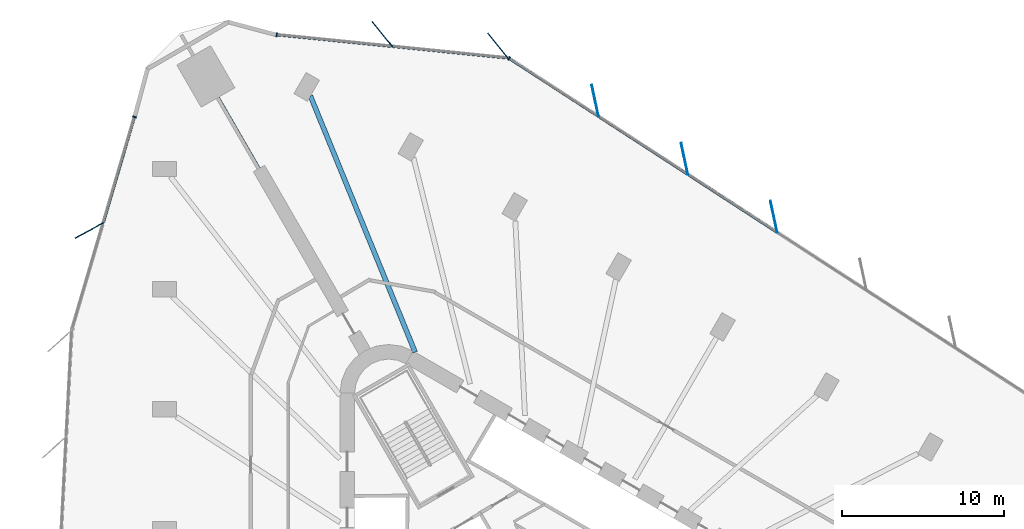
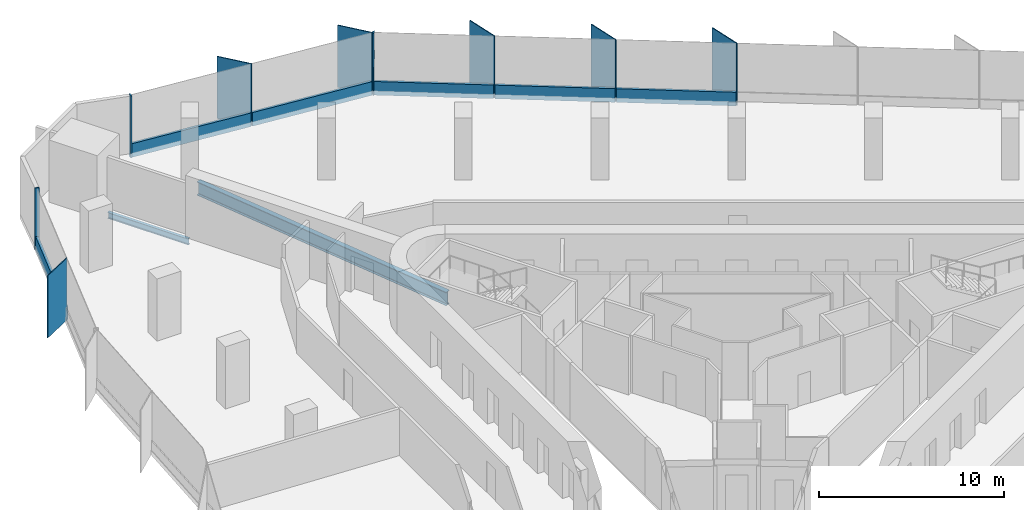
# One storey, part 7 of 14: 15 members, 2 beams, 3 elements without a shape of their own.
"""IFC4 building model written with IfcOpenShell, lengths in metres."""

from ifc_helpers import new_model, si_unit, direction, frame, origin, origin_2d, place, context, subcontext, project, spatial, rectangle, i_section, extrude, material, material_profile, profile_set, type_object, element, aggregate, save


model = new_model("IFC4")

# Units and contexts
model_context = context("Model", 3, precision=1e-05, world=origin(), true_north=direction((0.0, 1.0)))
body_context = subcontext(model_context, "Body", "Model", "MODEL_VIEW")
ifc_project = project(units=[si_unit("LENGTHUNIT", "METRE"), si_unit("AREAUNIT", "SQUARE_METRE"), si_unit("VOLUMEUNIT", "CUBIC_METRE"), si_unit("PLANEANGLEUNIT", "RADIAN"), si_unit("MASSUNIT", "GRAM", prefix="KILO")], contexts=[model_context])

# Site, building, storey
site_placement = place(None, origin())
site = spatial("IfcSite", under=ifc_project, at=site_placement, CompositionType="ELEMENT")
building_placement = place(site_placement, origin())
building = spatial("IfcBuilding", under=site, at=building_placement, Name="Tanit Gate Tower", CompositionType="ELEMENT")
storey_placement = place(building_placement, frame((0.0, 0.0, 115.199951171875)))
storey = spatial("IfcBuildingStorey", under=building, at=storey_placement, Name="L24", CompositionType="ELEMENT", Elevation=115.199951171875)

# Curtain wall, members
ifc_material_1 = material(Name="Aluminium bronze anodised and glass", Category="aluminium")
curtain_wall_type = type_object("IfcCurtainWallType", Name="Curtain wall typical low", PredefinedType="NOTDEFINED", material=ifc_material_1)
curtain_wall_1_placement = place(storey_placement, origin())
curtain_wall_1 = element("IfcCurtainWall", 1, at=curtain_wall_1_placement, inside=storey, type_object=curtain_wall_type, Name="Curtain wall L24 NE2", PredefinedType="NOTDEFINED")
ifc_material_2 = material(Name="Aluminium bronze anodised", Category="aluminium")
ifc_material_profile_1 = material_profile(ifc_material_2, rectangle(XDim=2.0, YDim=0.055908203125, at=origin_2d()), Name="56x2000 bronze fin mullion")
ifc_profile_set_1 = profile_set([ifc_material_profile_1], Name="Aluminium bronze anodised")
member_type_1 = type_object("IfcMemberType", Name="FIN MULLION 56x2000 bronze", PredefinedType="MULLION", material=ifc_profile_set_1)
member_1_placement = place(storey_placement, frame((14.614990234375, 26.619873046875, -0.300048828125), z_axis=(0.0, 0.0, 1.0), x_axis=(0.208237849046, -0.978078216824, 0.0)))
member_1 = element("IfcMember", 2, at=member_1_placement, type_object=member_type_1, Name="Fin mullion L24 NE2.4", PredefinedType="MULLION", context=body_context, shape_type="SweptSolid", body=[
    extrude(rectangle(XDim=2.0, YDim=0.055908203125, at=origin_2d()), origin(), (0.0, 0.0, 1.0), 4.10009765625),
])
member_2_placement = place(storey_placement, frame((9.114013671875, 30.189453125, -0.300048828125), z_axis=(0.0, 0.0, 1.0), x_axis=(0.208237849046, -0.978078216824, 0.0)))
member_2 = element("IfcMember", 3, at=member_2_placement, type_object=member_type_1, Name="Fin mullion L24 NE2.5", PredefinedType="MULLION", context=body_context, shape_type="SweptSolid", body=[
    extrude(rectangle(XDim=2.0, YDim=0.055908203125, at=origin_2d()), origin(), (0.0, 0.0, 1.0), 4.10009765625),
])
member_3_placement = place(storey_placement, frame((3.613037109375, 33.75927734375, -0.300048828125), z_axis=(0.0, 0.0, 1.0), x_axis=(0.208237849046, -0.978078216824, 0.0)))
member_3 = element("IfcMember", 4, at=member_3_placement, type_object=member_type_1, Name="Fin mullion L24 NE2.6", PredefinedType="MULLION", context=body_context, shape_type="SweptSolid", body=[
    extrude(rectangle(XDim=2.0, YDim=0.055908203125, at=origin_2d()), origin(), (0.0, 0.0, 1.0), 4.10009765625),
])

curtain_wall_2_placement = place(storey_placement, origin())
curtain_wall_2 = element("IfcCurtainWall", 5, at=curtain_wall_2_placement, inside=storey, type_object=curtain_wall_type, Name="Curtain wall L24 NE3", PredefinedType="NOTDEFINED")
member_4_placement = place(storey_placement, frame((-2.376220703125, 37.155517578125, -0.300048828125), z_axis=(0.0, 0.0, 1.0), x_axis=(0.632883352429, -0.774247158353, 0.0)))
member_4 = element("IfcMember", 6, at=member_4_placement, type_object=member_type_1, Name="Fin mullion L24 NE3.1", PredefinedType="MULLION", context=body_context, shape_type="SweptSolid", body=[
    extrude(rectangle(XDim=2.0, YDim=0.055908203125, at=origin_2d()), origin(), (0.0, 0.0, 1.0), 4.10009765625),
])
member_5_placement = place(storey_placement, frame((-9.49658203125, 37.870849609375, -0.300048828125), z_axis=(0.0, 0.0, 1.0), x_axis=(0.632883352429, -0.774247158353, 0.0)))
member_5 = element("IfcMember", 7, at=member_5_placement, type_object=member_type_1, Name="Fin mullion L24 NE3.2", PredefinedType="MULLION", context=body_context, shape_type="SweptSolid", body=[
    extrude(rectangle(XDim=2.0, YDim=0.055908203125, at=origin_2d()), origin(), (0.0, 0.0, 1.0), 4.10009765625),
])

# Curtain wall, member
curtain_wall_3_placement = place(storey_placement, origin())
curtain_wall_3 = element("IfcCurtainWall", 8, at=curtain_wall_3_placement, inside=storey, type_object=curtain_wall_type, Name="Curtain wall L24 W1", PredefinedType="NOTDEFINED")
member_6_placement = place(storey_placement, frame((-27.53466796875, 25.783203125, -0.300048828125), z_axis=(0.0, 0.0, 1.0), x_axis=(0.878074365831, 0.478524197999, 0.0)))
member_6 = element("IfcMember", 9, at=member_6_placement, type_object=member_type_1, Name="Fin mullion L24 W1.2", PredefinedType="MULLION", context=body_context, shape_type="SweptSolid", body=[
    extrude(rectangle(XDim=2.0, YDim=0.055908203125, at=origin_2d()), origin(), (0.0, 0.0, 1.0), 4.10009765625),
])

# Member
ifc_material_3 = material(Name="Aluminium bronze anodised", Category="aluminium")
ifc_material_profile_2 = material_profile(ifc_material_3, rectangle(XDim=0.239990234375, YDim=0.080078125, at=origin_2d()), Name="80x240 bronze mullion")
ifc_profile_set_2 = profile_set([ifc_material_profile_2], Name="Aluminium bronze anodised")
member_type_2 = type_object("IfcMemberType", Name="Mullion 80x240 typical low", PredefinedType="MULLION", material=ifc_profile_set_2)
member_7_placement = place(storey_placement, frame((-1.684326171875, 36.373046875, -0.300048828125), z_axis=(0.0, 0.0, 1.0), x_axis=(-0.544359344487, -0.838852134807, 0.0)))
member_7 = element("IfcMember", 10, at=member_7_placement, type_object=member_type_2, Name="Mullion L24 NE2.7", PredefinedType="MULLION", context=body_context, shape_type="SweptSolid", body=[
    extrude(rectangle(XDim=0.239990234375, YDim=0.080078125, at=origin_2d()), origin(), (0.0, 0.0, 1.0), 4.10009765625),
])

member_8_placement = place(storey_placement, frame((-15.998291015625, 37.82958984375, -0.300048828125), z_axis=(0.0, 0.0, 1.0), x_axis=(-0.099959305783, -0.994991526189, 0.0)))
member_8 = element("IfcMember", 11, at=member_8_placement, type_object=member_type_2, Name="Mullion L24 NE3.3", PredefinedType="MULLION", context=body_context, shape_type="SweptSolid", body=[
    extrude(rectangle(XDim=0.239990234375, YDim=0.080078125, at=origin_2d()), origin(), (0.0, 0.0, 1.0), 4.10009765625),
])

member_9_placement = place(storey_placement, frame((-24.7548828125, 32.77587890625, -0.300048828125), z_axis=(0.0, 0.0, 1.0), x_axis=(0.959260043832, -0.282524633098, 0.0)))
member_9 = element("IfcMember", 12, at=member_9_placement, type_object=member_type_2, Name="Mullion L24 W1.1", PredefinedType="MULLION", context=body_context, shape_type="SweptSolid", body=[
    extrude(rectangle(XDim=0.239990234375, YDim=0.080078125, at=origin_2d()), origin(), (0.0, 0.0, 1.0), 4.10009765625),
])

# Beams
ifc_material_4 = material(Name="Steel S355", Category="steel")
ifc_material_profile_3 = material_profile(ifc_material_4, i_section(OverallWidth=0.300048828125, OverallDepth=0.889892578125, WebThickness=0.01611328125, FlangeThickness=0.030029296875, FilletRadius=0.030029296875, at=origin_2d()), Name="HEA 900")
ifc_profile_set_3 = profile_set([ifc_material_profile_3], Name="Steel S355")
beam_type_1 = type_object("IfcBeamType", Name="RADIAL GIRDER HEA 900 S355", PredefinedType="BEAM", material=ifc_profile_set_3)
beam_1_placement = place(storey_placement, frame((-13.9228515625, 34.06640625, -0.744873046875), z_axis=(0.378315448854, -0.925676736857, 0.0), x_axis=(0.925676736857, 0.378315448854, 0.0)))
element("IfcBeam", 13, at=beam_1_placement, inside=storey, type_object=beam_type_1, Name="RADIAL GIRDER", PredefinedType="BEAM", context=body_context, shape_type="SweptSolid", body=[
    extrude(i_section(OverallWidth=0.300048828125, OverallDepth=0.889892578125, WebThickness=0.01611328125, FlangeThickness=0.030029296875, FilletRadius=0.030029296875, at=origin_2d()), origin(), (0.0, 0.0, 1.0), 17.043212890625),
])
ifc_material_5 = material(Name="Steel S355", Category="steel")
ifc_material_profile_4 = material_profile(ifc_material_5, i_section(OverallWidth=0.179931640625, OverallDepth=0.39990234375, WebThickness=0.008544921875, FlangeThickness=0.013427734375, FilletRadius=0.02099609375, at=origin_2d()), Name="IPE 400")
ifc_profile_set_4 = profile_set([ifc_material_profile_4], Name="Steel S355")
beam_type_2 = type_object("IfcBeamType", Name="RADIAL GIRDER IPE 400 S355", PredefinedType="BEAM", material=ifc_profile_set_4)
beam_2_placement = place(storey_placement, frame((-19.611572265625, 33.96826171875, -0.5), z_axis=(0.499994660107, -0.866028486751, 0.0), x_axis=(0.866028486751, 0.499994660107, 0.0)))
element("IfcBeam", 14, at=beam_2_placement, inside=storey, type_object=beam_type_2, Name="RADIAL GIRDER", PredefinedType="BEAM", context=body_context, shape_type="SweptSolid", body=[
    extrude(i_section(OverallWidth=0.179931640625, OverallDepth=0.39990234375, WebThickness=0.008544921875, FlangeThickness=0.013427734375, FilletRadius=0.02099609375, at=origin_2d()), origin(), (0.0, 0.0, 1.0), 5.04638671875),
])

# Member
ifc_material_6 = material(Name="Aluminium bronze anodised", Category="aluminium")
ifc_material_profile_5 = material_profile(ifc_material_6, rectangle(XDim=0.159912109375, YDim=0.89990234375, at=origin_2d()), Name="160x900 bronze transom")
ifc_profile_set_5 = profile_set([ifc_material_profile_5], Name="Aluminium bronze anodised")
member_type_3 = type_object("IfcMemberType", Name="Transom 160x900 typical low", PredefinedType="USERDEFINED", material=ifc_profile_set_5)
member_10_placement = place(storey_placement, frame((14.784912109375, 25.685546875, 0.150146484375), z_axis=(-0.838840352017, 0.544377501214, 0.0), x_axis=(-0.544377501214, -0.838840352017, 0.0)))
member_10 = element("IfcMember", 15, at=member_10_placement, type_object=member_type_3, Name="Transom L24 NE2.4", ObjectType="TRANSOM", PredefinedType="USERDEFINED", context=body_context, shape_type="SweptSolid", body=[
    extrude(rectangle(XDim=0.159912109375, YDim=0.89990234375, at=origin_2d()), origin(), (0.0, 0.0, 1.0), 6.477783203125),
])

member_11_placement = place(storey_placement, frame((9.283935546875, 29.25537109375, 0.150146484375), z_axis=(-0.838857562398, 0.544350980533, 0.0), x_axis=(-0.544350980533, -0.838857562398, 0.0)))
member_11 = element("IfcMember", 16, at=member_11_placement, type_object=member_type_3, Name="Transom L24 NE2.5", ObjectType="TRANSOM", PredefinedType="USERDEFINED", context=body_context, shape_type="SweptSolid", body=[
    extrude(rectangle(XDim=0.159912109375, YDim=0.89990234375, at=origin_2d()), origin(), (0.0, 0.0, 1.0), 6.477783203125),
])

member_12_placement = place(storey_placement, frame((3.782958984375, 32.8251953125, 0.150146484375), z_axis=(-0.838857562398, 0.544350980533, 0.0), x_axis=(-0.544350980533, -0.838857562398, 0.0)))
member_12 = element("IfcMember", 17, at=member_12_placement, type_object=member_type_3, Name="Transom L24 NE2.6", ObjectType="TRANSOM", PredefinedType="USERDEFINED", context=body_context, shape_type="SweptSolid", body=[
    extrude(rectangle(XDim=0.159912109375, YDim=0.89990234375, at=origin_2d()), origin(), (0.0, 0.0, 1.0), 6.477783203125),
])

aggregate(curtain_wall_1, [member_1, member_2, member_3, member_7, member_10, member_11, member_12])

member_13_placement = place(storey_placement, frame((-1.797607421875, 36.40283203125, 0.150146484375), z_axis=(-0.994992339953, 0.099951205272, 0.0), x_axis=(-0.099951205272, -0.994992339953, 0.0)))
member_13 = element("IfcMember", 18, at=member_13_placement, type_object=member_type_3, Name="Transom L24 NE3.1", ObjectType="TRANSOM", PredefinedType="USERDEFINED", context=body_context, shape_type="SweptSolid", body=[
    extrude(rectangle(XDim=0.159912109375, YDim=0.89990234375, at=origin_2d()), origin(), (0.0, 0.0, 1.0), 7.076171875),
])

member_14_placement = place(storey_placement, frame((-8.91796875, 37.1181640625, 0.150146484375), z_axis=(-0.994991995255, 0.099954636599, 0.0), x_axis=(-0.099954636599, -0.994991995255, 0.0)))
member_14 = element("IfcMember", 19, at=member_14_placement, type_object=member_type_3, Name="Transom L24 NE3.2", ObjectType="TRANSOM", PredefinedType="USERDEFINED", context=body_context, shape_type="SweptSolid", body=[
    extrude(rectangle(XDim=0.159912109375, YDim=0.89990234375, at=origin_2d()), origin(), (0.0, 0.0, 1.0), 7.075927734375),
])

aggregate(curtain_wall_2, [member_4, member_5, member_8, member_13, member_14])

member_15_placement = place(storey_placement, frame((-24.76611328125, 32.737548828125, 0.150146484375), z_axis=(-0.282526140656, -0.95925959982, 0.0), x_axis=(0.95925959982, -0.282526140656, 0.0)))
member_15 = element("IfcMember", 20, at=member_15_placement, type_object=member_type_3, Name="Transom L24 W1.1", ObjectType="TRANSOM", PredefinedType="USERDEFINED", context=body_context, shape_type="SweptSolid", body=[
    extrude(rectangle(XDim=0.159912109375, YDim=0.89990234375, at=origin_2d()), origin(), (0.0, 0.0, 1.0), 6.72216796875),
])

aggregate(curtain_wall_3, [member_9, member_6, member_15])

save(model, "model.ifc")
